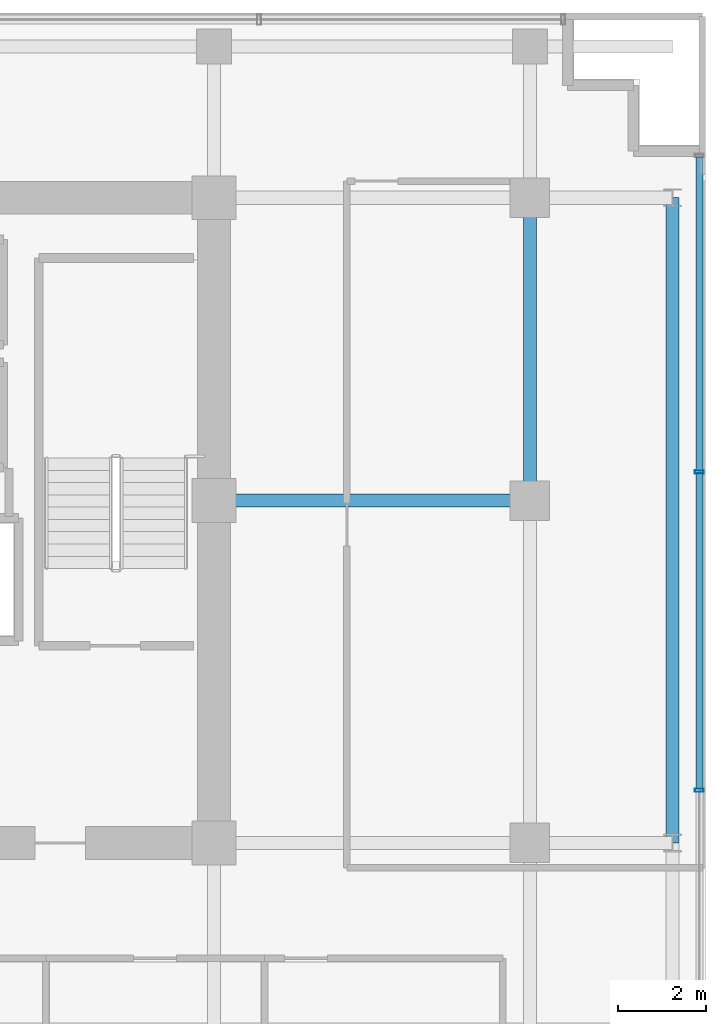
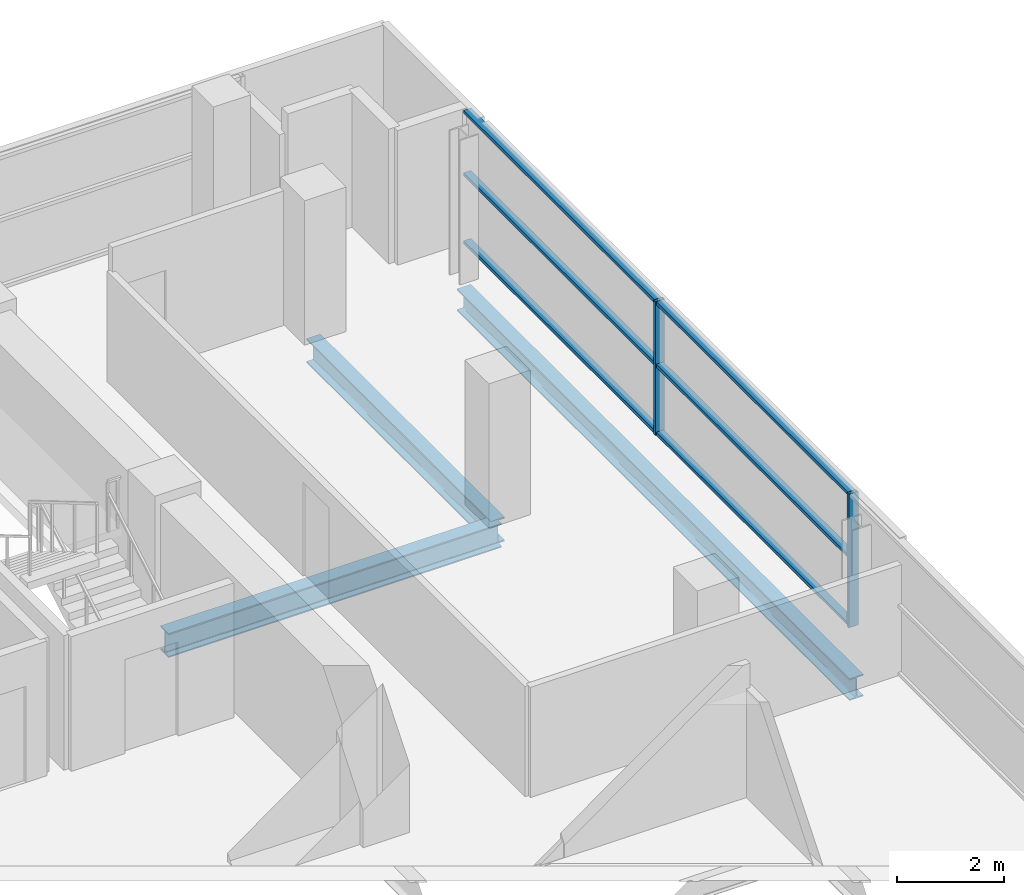
# One storey, part 14 of 28: 8 members, 3 beams, 1 element without a shape of its own.
"""IFC4 building model written with IfcOpenShell, lengths in metres."""

from ifc_helpers import new_model, si_unit, direction, frame, origin, origin_2d, place, context, subcontext, project, spatial, hollow_rectangle, i_section, extrude, source, transform, mapped, material, layer, layer_set, material_profile, profile_set, type_object, element, aggregate, save


model = new_model("IFC4")

# Units and contexts
model_context = context("Model", 3, precision=1e-05, world=origin(), true_north=direction((0.0, 1.0)))
body_context = subcontext(model_context, "Body", "Model", "MODEL_VIEW")
ifc_project = project(units=[si_unit("LENGTHUNIT", "METRE"), si_unit("AREAUNIT", "SQUARE_METRE"), si_unit("VOLUMEUNIT", "CUBIC_METRE"), si_unit("PLANEANGLEUNIT", "RADIAN"), si_unit("MASSUNIT", "GRAM", prefix="KILO")], contexts=[model_context])

# Site, building, storey
site_placement = place(None, origin())
site = spatial("IfcSite", under=ifc_project, at=site_placement, CompositionType="ELEMENT")
building_placement = place(site_placement, origin())
building = spatial("IfcBuilding", under=site, at=building_placement, Name="Zarnakvel Exchange Tower", CompositionType="ELEMENT")
storey_placement = place(building_placement, frame((0.0, 0.0, 103.300048828125)))
storey = spatial("IfcBuildingStorey", under=building, at=storey_placement, Name="L28", CompositionType="ELEMENT", Elevation=103.300048828125)

# Beams
ifc_material_1 = material(Name="Steel S355", Category="steel")
ifc_material_profile_1 = material_profile(ifc_material_1, i_section(OverallWidth=0.300048828125, OverallDepth=0.550048828125, WebThickness=0.014892578125, FlangeThickness=0.029052734375, FilletRadius=0.027099609375, at=origin_2d()))
ifc_profile_set_1 = profile_set([ifc_material_profile_1], Name="Steel S355")
beam_type_1 = type_object("IfcBeamType", Name="G-05", PredefinedType="BEAM", material=ifc_profile_set_1)
beam_1_placement = place(storey_placement, frame((14.39990234375, 6.60009765625, -0.5), z_axis=(1.0, 0.0, 0.0), x_axis=(0.0, 1.0, 0.0)))
element("IfcBeam", 1, at=beam_1_placement, inside=storey, type_object=beam_type_1, Name="L28 Tower E-W Frame Beam", PredefinedType="BEAM", context=body_context, shape_type="SweptSolid", body=[
    extrude(i_section(OverallWidth=0.300048828125, OverallDepth=0.550048828125, WebThickness=0.014892578125, FlangeThickness=0.029052734375, FilletRadius=0.027099609375, at=origin_2d()), origin(), (0.0, 0.0, 1.0), 7.2001953125),
])
beam_2_placement = place(storey_placement, frame((21.60009765625, 6.60009765625, -0.5), z_axis=(0.0, 1.0, 0.0), x_axis=(-1.0, 0.0, 0.0)))
element("IfcBeam", 2, at=beam_2_placement, inside=storey, type_object=beam_type_1, Name="L28 Tower N-S Frame Beam", PredefinedType="BEAM", context=body_context, shape_type="SweptSolid", body=[
    extrude(i_section(OverallWidth=0.300048828125, OverallDepth=0.550048828125, WebThickness=0.014892578125, FlangeThickness=0.029052734375, FilletRadius=0.027099609375, at=origin_2d()), origin(), (0.0, 0.0, 1.0), 6.89990234375),
])
ifc_material_profile_2 = material_profile(ifc_material_1, i_section(OverallWidth=0.300048828125, OverallDepth=0.5, WebThickness=0.014404296875, FlangeThickness=0.028076171875, FilletRadius=0.027099609375, at=origin_2d()))
ifc_profile_set_2 = profile_set([ifc_material_profile_2], Name="Steel S355")
beam_type_2 = type_object("IfcBeamType", Name="SP-02", PredefinedType="SPANDREL", material=ifc_profile_set_2)
beam_3_placement = place(storey_placement, frame((24.85009765625, -1.199951171875, -0.47509765625), z_axis=(0.0, 1.0, 0.0), x_axis=(-1.0, 0.0, 0.0)))
element("IfcBeam", 3, at=beam_3_placement, inside=storey, type_object=beam_type_2, Name="L28 Tower N-S Frame Beam", PredefinedType="SPANDREL", context=body_context, shape_type="SweptSolid", body=[
    extrude(i_section(OverallWidth=0.300048828125, OverallDepth=0.5, WebThickness=0.014404296875, FlangeThickness=0.028076171875, FilletRadius=0.027099609375, at=origin_2d()), origin(), (0.0, 0.0, 1.0), 14.699951171875),
])

# Curtain wall, members
ifc_material_2 = material(Name="Architectural Bronze Anodised Aluminium", Category="aluminium")
ifc_layer = layer(ifc_material_2, 0.199951171875)
ifc_layer_set = layer_set([ifc_layer], Name="Architectural Bronze Anodised Aluminium")
curtain_wall_type = type_object("IfcCurtainWallType", Name="CW-04", PredefinedType="NOTDEFINED", material=ifc_layer_set)
curtain_wall_placement = place(storey_placement, origin())
curtain_wall = element("IfcCurtainWall", 4, at=curtain_wall_placement, inside=storey, type_object=curtain_wall_type, Name="L28 Curtain Wall CW-L28-E1 (CW-04)", PredefinedType="NOTDEFINED")
ifc_material_profile_3 = material_profile(ifc_material_2, hollow_rectangle(XDim=0.199951171875, YDim=0.074951171875, WallThickness=0.0048828125, at=origin_2d()))
ifc_profile_set_3 = profile_set([ifc_material_profile_3], Name="Architectural Bronze Anodised Aluminium")
member_type_1 = type_object("IfcMemberType", Name="CWM-04", PredefinedType="MULLION", material=ifc_profile_set_3)
shared_shape_1 = source(origin(), body_context, "Body", "SweptSolid", [
    extrude(hollow_rectangle(XDim=0.199951171875, YDim=0.074951171875, WallThickness=0.0048828125, at=origin_2d()), origin(), (0.0, 0.0, 1.0), 3.054931640625),
])
member_1_placement = place(storey_placement, frame((25.4599609375, 0.0, 0.0), z_axis=(0.0, 0.0, 1.0), x_axis=(-1.0, 0.0, 0.0)))
member_1 = element("IfcMember", 5, at=member_1_placement, type_object=member_type_1, Name="CW-04 mullion 3", PredefinedType="MULLION", context=body_context, shape_type="MappedRepresentation", body=[
    mapped(shared_shape_1, transform((0.0, 0.0, 0.0), x_axis=(1.0, 0.0, 0.0), y_axis=(0.0, 1.0, 0.0), z_axis=(0.0, 0.0, 1.0), scale=1.0)),
])
member_2_placement = place(storey_placement, frame((25.4599609375, 7.25, 0.0), z_axis=(0.0, 0.0, 1.0), x_axis=(-1.0, 0.0, 0.0)))
member_2 = element("IfcMember", 6, at=member_2_placement, type_object=member_type_1, Name="CW-04 mullion 4", PredefinedType="MULLION", context=body_context, shape_type="MappedRepresentation", body=[
    mapped(shared_shape_1, transform((0.0, 0.0, 0.0), x_axis=(1.0, 0.0, 0.0), y_axis=(0.0, 1.0, 0.0), z_axis=(0.0, 0.0, 1.0), scale=1.0)),
])
ifc_material_profile_4 = material_profile(ifc_material_2, hollow_rectangle(XDim=0.159912109375, YDim=0.074951171875, WallThickness=0.00390625, at=origin_2d()))
ifc_profile_set_4 = profile_set([ifc_material_profile_4], Name="Architectural Bronze Anodised Aluminium")
member_type_2 = type_object("IfcMemberType", Name="CWT-04", PredefinedType="USERDEFINED", material=ifc_profile_set_4)
shared_shape_2 = source(origin(), body_context, "Body", "SweptSolid", [
    extrude(hollow_rectangle(XDim=0.159912109375, YDim=0.074951171875, WallThickness=0.00390625, at=origin_2d()), origin(), (0.0, 0.0, 1.0), 7.137451171875),
])
member_3_placement = place(storey_placement, frame((25.4599609375, 7.28759765625, 0.037353515625), z_axis=(0.0, 1.0, 0.0), x_axis=(-1.0, 0.0, 0.0)))
member_3 = element("IfcMember", 7, at=member_3_placement, type_object=member_type_2, Name="CW-04 transom 4.1", ObjectType="TRANSOM", PredefinedType="USERDEFINED", context=body_context, shape_type="MappedRepresentation", body=[
    mapped(shared_shape_2, transform((0.0, 0.0, 0.0), x_axis=(1.0, 0.0, 0.0), y_axis=(0.0, 1.0, 0.0), z_axis=(0.0, 0.0, 1.0), scale=1.0)),
])
member_4_placement = place(storey_placement, frame((25.4599609375, 7.28759765625, 1.588623046875), z_axis=(0.0, 1.0, 0.0), x_axis=(-1.0, 0.0, 0.0)))
member_4 = element("IfcMember", 8, at=member_4_placement, type_object=member_type_2, Name="CW-04 transom 4.2", ObjectType="TRANSOM", PredefinedType="USERDEFINED", context=body_context, shape_type="MappedRepresentation", body=[
    mapped(shared_shape_2, transform((0.0, 0.0, 0.0), x_axis=(1.0, 0.0, 0.0), y_axis=(0.0, 1.0, 0.0), z_axis=(0.0, 0.0, 1.0), scale=1.0)),
])
member_5_placement = place(storey_placement, frame((25.4599609375, 7.28759765625, 3.017333984375), z_axis=(0.0, 1.0, 0.0), x_axis=(-1.0, 0.0, 0.0)))
member_5 = element("IfcMember", 9, at=member_5_placement, type_object=member_type_2, Name="CW-04 transom 4.3", ObjectType="TRANSOM", PredefinedType="USERDEFINED", context=body_context, shape_type="MappedRepresentation", body=[
    mapped(shared_shape_2, transform((0.0, 0.0, 0.0), x_axis=(1.0, 0.0, 0.0), y_axis=(0.0, 1.0, 0.0), z_axis=(0.0, 0.0, 1.0), scale=1.0)),
])
shared_shape_3 = source(origin(), body_context, "Body", "SweptSolid", [
    extrude(hollow_rectangle(XDim=0.159912109375, YDim=0.074951171875, WallThickness=0.00390625, at=origin_2d()), origin(), (0.0, 0.0, 1.0), 7.1748046875),
])
member_6_placement = place(storey_placement, frame((25.4599609375, 0.03759765625, 0.037353515625), z_axis=(0.0, 1.0, 0.0), x_axis=(-1.0, 0.0, 0.0)))
member_6 = element("IfcMember", 10, at=member_6_placement, type_object=member_type_2, Name="CW-04 transom 3.1", ObjectType="TRANSOM", PredefinedType="USERDEFINED", context=body_context, shape_type="MappedRepresentation", body=[
    mapped(shared_shape_3, transform((0.0, 0.0, 0.0), x_axis=(1.0, 0.0, 0.0), y_axis=(0.0, 1.0, 0.0), z_axis=(0.0, 0.0, 1.0), scale=1.0)),
])
member_7_placement = place(storey_placement, frame((25.4599609375, 0.03759765625, 1.588623046875), z_axis=(0.0, 1.0, 0.0), x_axis=(-1.0, 0.0, 0.0)))
member_7 = element("IfcMember", 11, at=member_7_placement, type_object=member_type_2, Name="CW-04 transom 3.2", ObjectType="TRANSOM", PredefinedType="USERDEFINED", context=body_context, shape_type="MappedRepresentation", body=[
    mapped(shared_shape_3, transform((0.0, 0.0, 0.0), x_axis=(1.0, 0.0, 0.0), y_axis=(0.0, 1.0, 0.0), z_axis=(0.0, 0.0, 1.0), scale=1.0)),
])
member_8_placement = place(storey_placement, frame((25.4599609375, 0.03759765625, 3.017333984375), z_axis=(0.0, 1.0, 0.0), x_axis=(-1.0, 0.0, 0.0)))
member_8 = element("IfcMember", 12, at=member_8_placement, type_object=member_type_2, Name="CW-04 transom 3.3", ObjectType="TRANSOM", PredefinedType="USERDEFINED", context=body_context, shape_type="MappedRepresentation", body=[
    mapped(shared_shape_3, transform((0.0, 0.0, 0.0), x_axis=(1.0, 0.0, 0.0), y_axis=(0.0, 1.0, 0.0), z_axis=(0.0, 0.0, 1.0), scale=1.0)),
])
aggregate(curtain_wall, [member_1, member_2, member_6, member_7, member_8, member_3, member_4, member_5])

save(model, "model.ifc")
